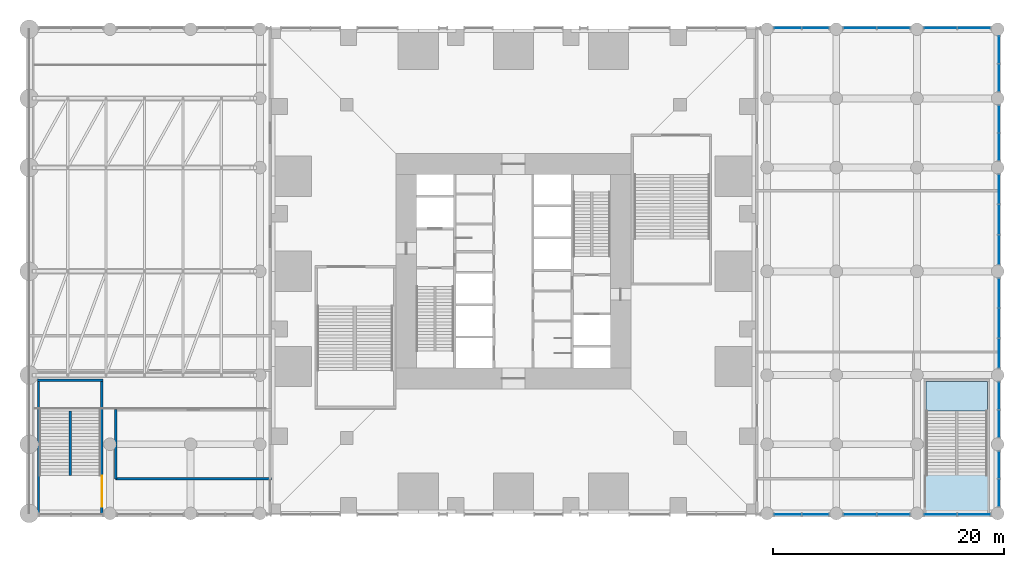
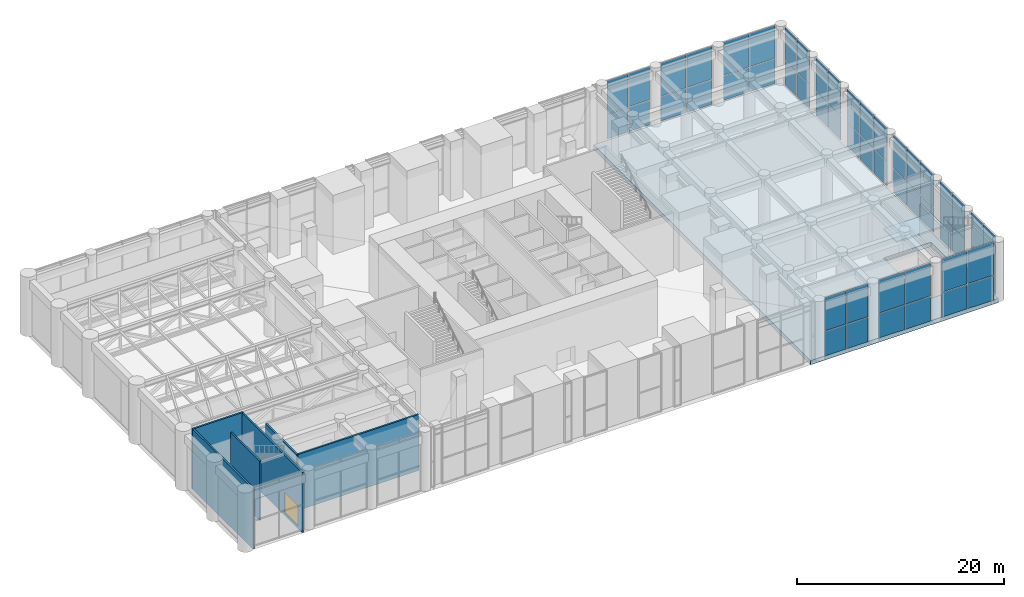
# One storey, part 21 of 30: 52 plates, 6 walls, 2 slabs, 1 door, 1 opening, 13 elements without a shape of their own.
"""IFC4 building model written with IfcOpenShell, lengths in metres."""

from ifc_helpers import new_model, si_unit, direction, frame, frame_2d, origin, origin_2d, place, context, subcontext, project, spatial, polyline, rectangle, outline, extrude, material, layer, layer_set, type_object, element, fill, aggregate, save


model = new_model("IFC4")

# Units and contexts
model_context = context("Model", 3, precision=1e-05, world=origin(), true_north=direction((0.0, 1.0)))
body_context = subcontext(model_context, "Body", "Model", "MODEL_VIEW")
ifc_project = project(units=[si_unit("LENGTHUNIT", "METRE"), si_unit("AREAUNIT", "SQUARE_METRE"), si_unit("VOLUMEUNIT", "CUBIC_METRE"), si_unit("PLANEANGLEUNIT", "RADIAN"), si_unit("MASSUNIT", "GRAM", prefix="KILO")], contexts=[model_context])

# Site, building, storey
site_placement = place(None, origin())
site = spatial("IfcSite", under=ifc_project, at=site_placement, CompositionType="ELEMENT")
building_placement = place(site_placement, origin())
building = spatial("IfcBuilding", under=site, at=building_placement, Name="Svetlomir Tower", CompositionType="ELEMENT")
storey_placement = place(building_placement, frame((0.0, 0.0, 11.0)))
storey = spatial("IfcBuildingStorey", under=building, at=storey_placement, Name="L02", CompositionType="ELEMENT", Elevation=11.0)

# Curtain wall, plates
ifc_material_1 = material(Name="Bronze anodised aluminium curtain wall", Category="aluminium")
curtain_wall_type = type_object("IfcCurtainWallType", Name="CURTAIN WALL CW5 PODIUM", PredefinedType="NOTDEFINED", material=ifc_material_1)
curtain_wall_1_placement = place(storey_placement, origin())
curtain_wall_1 = element("IfcCurtainWall", 1, at=curtain_wall_1_placement, inside=storey, type_object=curtain_wall_type, Name="Curtain wall CW5 L02", PredefinedType="NOTDEFINED")
ifc_material_2 = material(Name="Tinted double glazed unit", Category="glass")
ifc_layer_1 = layer(ifc_material_2, 0.0400390625)
ifc_layer_set_1 = layer_set([ifc_layer_1], Name="Tinted double glazed unit")
plate_type = type_object("IfcPlateType", Name="CW5 GLAZED PANEL 40", PredefinedType="CURTAIN_PANEL", material=ifc_layer_set_1)
plate_1_placement = place(storey_placement, frame((44.794921875, -0.10009765625, 0.080078125), z_axis=(0.0, 0.0, 1.0), x_axis=(1.0, 0.0, 0.0)))
plate_1 = element("IfcPlate", 2, at=plate_1_placement, type_object=plate_type, Name="CW5 panel 1.1", PredefinedType="CURTAIN_PANEL", context=body_context, shape_type="SweptSolid", body=[
    extrude(rectangle(XDim=2.330078125, YDim=0.0400390625, at=origin_2d()), origin(), (0.0, 0.0, 1.0), 2.8798828125),
])
plate_2_placement = place(storey_placement, frame((44.794921875, -0.10009765625, 3.0400390625), z_axis=(0.0, 0.0, 1.0), x_axis=(1.0, 0.0, 0.0)))
plate_2 = element("IfcPlate", 3, at=plate_2_placement, type_object=plate_type, Name="CW5 panel 1.2", PredefinedType="CURTAIN_PANEL", context=body_context, shape_type="SweptSolid", body=[
    extrude(rectangle(XDim=2.330078125, YDim=0.0400390625, at=origin_2d()), origin(), (0.0, 0.0, 1.0), 3.8798828125),
])
plate_3_placement = place(storey_placement, frame((47.205078125, -0.10009765625, 0.080078125), z_axis=(0.0, 0.0, 1.0), x_axis=(1.0, 0.0, 0.0)))
plate_3 = element("IfcPlate", 4, at=plate_3_placement, type_object=plate_type, Name="CW5 panel 2.1", PredefinedType="CURTAIN_PANEL", context=body_context, shape_type="SweptSolid", body=[
    extrude(rectangle(XDim=2.330078125, YDim=0.0400390625, at=origin_2d()), origin(), (0.0, 0.0, 1.0), 2.8798828125),
])
plate_4_placement = place(storey_placement, frame((47.205078125, -0.10009765625, 3.0400390625), z_axis=(0.0, 0.0, 1.0), x_axis=(1.0, 0.0, 0.0)))
plate_4 = element("IfcPlate", 5, at=plate_4_placement, type_object=plate_type, Name="CW5 panel 2.2", PredefinedType="CURTAIN_PANEL", context=body_context, shape_type="SweptSolid", body=[
    extrude(rectangle(XDim=2.330078125, YDim=0.0400390625, at=origin_2d()), origin(), (0.0, 0.0, 1.0), 3.8798828125),
])
aggregate(curtain_wall_1, [plate_1, plate_2, plate_3, plate_4])

curtain_wall_2_placement = place(storey_placement, origin())
curtain_wall_2 = element("IfcCurtainWall", 6, at=curtain_wall_2_placement, inside=storey, type_object=curtain_wall_type, Name="Curtain wall CW5 L02", PredefinedType="NOTDEFINED")
plate_5_placement = place(storey_placement, frame((51.044921875, -0.10009765625, 0.080078125), z_axis=(0.0, 0.0, 1.0), x_axis=(1.0, 0.0, 0.0)))
plate_5 = element("IfcPlate", 7, at=plate_5_placement, type_object=plate_type, Name="CW5 panel 1.1", PredefinedType="CURTAIN_PANEL", context=body_context, shape_type="SweptSolid", body=[
    extrude(rectangle(XDim=2.830078125, YDim=0.0400390625, at=origin_2d()), origin(), (0.0, 0.0, 1.0), 2.8798828125),
])
plate_6_placement = place(storey_placement, frame((51.044921875, -0.10009765625, 3.0400390625), z_axis=(0.0, 0.0, 1.0), x_axis=(1.0, 0.0, 0.0)))
plate_6 = element("IfcPlate", 8, at=plate_6_placement, type_object=plate_type, Name="CW5 panel 1.2", PredefinedType="CURTAIN_PANEL", context=body_context, shape_type="SweptSolid", body=[
    extrude(rectangle(XDim=2.830078125, YDim=0.0400390625, at=origin_2d()), origin(), (0.0, 0.0, 1.0), 3.8798828125),
])
plate_7_placement = place(storey_placement, frame((53.955078125, -0.10009765625, 0.080078125), z_axis=(0.0, 0.0, 1.0), x_axis=(1.0, 0.0, 0.0)))
plate_7 = element("IfcPlate", 9, at=plate_7_placement, type_object=plate_type, Name="CW5 panel 2.1", PredefinedType="CURTAIN_PANEL", context=body_context, shape_type="SweptSolid", body=[
    extrude(rectangle(XDim=2.830078125, YDim=0.0400390625, at=origin_2d()), origin(), (0.0, 0.0, 1.0), 2.8798828125),
])
plate_8_placement = place(storey_placement, frame((53.955078125, -0.10009765625, 3.0400390625), z_axis=(0.0, 0.0, 1.0), x_axis=(1.0, 0.0, 0.0)))
plate_8 = element("IfcPlate", 10, at=plate_8_placement, type_object=plate_type, Name="CW5 panel 2.2", PredefinedType="CURTAIN_PANEL", context=body_context, shape_type="SweptSolid", body=[
    extrude(rectangle(XDim=2.830078125, YDim=0.0400390625, at=origin_2d()), origin(), (0.0, 0.0, 1.0), 3.8798828125),
])
aggregate(curtain_wall_2, [plate_5, plate_6, plate_7, plate_8])

curtain_wall_3_placement = place(storey_placement, origin())
curtain_wall_3 = element("IfcCurtainWall", 11, at=curtain_wall_3_placement, inside=storey, type_object=curtain_wall_type, Name="Curtain wall CW5 L02", PredefinedType="NOTDEFINED")
plate_9_placement = place(storey_placement, frame((58.044921875, -0.10009765625, 0.080078125), z_axis=(0.0, 0.0, 1.0), x_axis=(1.0, 0.0, 0.0)))
plate_9 = element("IfcPlate", 12, at=plate_9_placement, type_object=plate_type, Name="CW5 panel 1.1", PredefinedType="CURTAIN_PANEL", context=body_context, shape_type="SweptSolid", body=[
    extrude(rectangle(XDim=2.830078125, YDim=0.0400390625, at=origin_2d()), origin(), (0.0, 0.0, 1.0), 2.8798828125),
])
plate_10_placement = place(storey_placement, frame((58.044921875, -0.10009765625, 3.0400390625), z_axis=(0.0, 0.0, 1.0), x_axis=(1.0, 0.0, 0.0)))
plate_10 = element("IfcPlate", 13, at=plate_10_placement, type_object=plate_type, Name="CW5 panel 1.2", PredefinedType="CURTAIN_PANEL", context=body_context, shape_type="SweptSolid", body=[
    extrude(rectangle(XDim=2.830078125, YDim=0.0400390625, at=origin_2d()), origin(), (0.0, 0.0, 1.0), 3.8798828125),
])
plate_11_placement = place(storey_placement, frame((60.955078125, -0.10009765625, 0.080078125), z_axis=(0.0, 0.0, 1.0), x_axis=(1.0, 0.0, 0.0)))
plate_11 = element("IfcPlate", 14, at=plate_11_placement, type_object=plate_type, Name="CW5 panel 2.1", PredefinedType="CURTAIN_PANEL", context=body_context, shape_type="SweptSolid", body=[
    extrude(rectangle(XDim=2.830078125, YDim=0.0400390625, at=origin_2d()), origin(), (0.0, 0.0, 1.0), 2.8798828125),
])
plate_12_placement = place(storey_placement, frame((60.955078125, -0.10009765625, 3.0400390625), z_axis=(0.0, 0.0, 1.0), x_axis=(1.0, 0.0, 0.0)))
plate_12 = element("IfcPlate", 15, at=plate_12_placement, type_object=plate_type, Name="CW5 panel 2.2", PredefinedType="CURTAIN_PANEL", context=body_context, shape_type="SweptSolid", body=[
    extrude(rectangle(XDim=2.830078125, YDim=0.0400390625, at=origin_2d()), origin(), (0.0, 0.0, 1.0), 3.8798828125),
])
aggregate(curtain_wall_3, [plate_9, plate_10, plate_11, plate_12])

curtain_wall_4_placement = place(storey_placement, origin())
curtain_wall_4 = element("IfcCurtainWall", 16, at=curtain_wall_4_placement, inside=storey, type_object=curtain_wall_type, Name="Curtain wall CW5 L02", PredefinedType="NOTDEFINED")
plate_13_placement = place(storey_placement, frame((63.10009765625, 1.794921875, 0.080078125), z_axis=(0.0, 0.0, 1.0), x_axis=(0.0, 1.0, 0.0)))
plate_13 = element("IfcPlate", 17, at=plate_13_placement, type_object=plate_type, Name="CW5 panel 1.1", PredefinedType="CURTAIN_PANEL", context=body_context, shape_type="SweptSolid", body=[
    extrude(rectangle(XDim=2.330078125, YDim=0.0400390625, at=origin_2d()), origin(), (0.0, 0.0, 1.0), 2.8798828125),
])
plate_14_placement = place(storey_placement, frame((63.10009765625, 1.794921875, 3.0400390625), z_axis=(0.0, 0.0, 1.0), x_axis=(0.0, 1.0, 0.0)))
plate_14 = element("IfcPlate", 18, at=plate_14_placement, type_object=plate_type, Name="CW5 panel 1.2", PredefinedType="CURTAIN_PANEL", context=body_context, shape_type="SweptSolid", body=[
    extrude(rectangle(XDim=2.330078125, YDim=0.0400390625, at=origin_2d()), origin(), (0.0, 0.0, 1.0), 3.8798828125),
])
plate_15_placement = place(storey_placement, frame((63.10009765625, 4.205078125, 0.080078125), z_axis=(0.0, 0.0, 1.0), x_axis=(0.0, 1.0, 0.0)))
plate_15 = element("IfcPlate", 19, at=plate_15_placement, type_object=plate_type, Name="CW5 panel 2.1", PredefinedType="CURTAIN_PANEL", context=body_context, shape_type="SweptSolid", body=[
    extrude(rectangle(XDim=2.330078125, YDim=0.0400390625, at=origin_2d()), origin(), (0.0, 0.0, 1.0), 2.8798828125),
])
plate_16_placement = place(storey_placement, frame((63.10009765625, 4.205078125, 3.0400390625), z_axis=(0.0, 0.0, 1.0), x_axis=(0.0, 1.0, 0.0)))
plate_16 = element("IfcPlate", 20, at=plate_16_placement, type_object=plate_type, Name="CW5 panel 2.2", PredefinedType="CURTAIN_PANEL", context=body_context, shape_type="SweptSolid", body=[
    extrude(rectangle(XDim=2.330078125, YDim=0.0400390625, at=origin_2d()), origin(), (0.0, 0.0, 1.0), 3.8798828125),
])
aggregate(curtain_wall_4, [plate_13, plate_14, plate_15, plate_16])

curtain_wall_5_placement = place(storey_placement, origin())
curtain_wall_5 = element("IfcCurtainWall", 21, at=curtain_wall_5_placement, inside=storey, type_object=curtain_wall_type, Name="Curtain wall CW5 L02", PredefinedType="NOTDEFINED")
plate_17_placement = place(storey_placement, frame((63.10009765625, 7.794921875, 0.080078125), z_axis=(0.0, 0.0, 1.0), x_axis=(0.0, 1.0, 0.0)))
plate_17 = element("IfcPlate", 22, at=plate_17_placement, type_object=plate_type, Name="CW5 panel 1.1", PredefinedType="CURTAIN_PANEL", context=body_context, shape_type="SweptSolid", body=[
    extrude(rectangle(XDim=2.330078125, YDim=0.0400390625, at=origin_2d()), origin(), (0.0, 0.0, 1.0), 2.8798828125),
])
plate_18_placement = place(storey_placement, frame((63.10009765625, 7.794921875, 3.0400390625), z_axis=(0.0, 0.0, 1.0), x_axis=(0.0, 1.0, 0.0)))
plate_18 = element("IfcPlate", 23, at=plate_18_placement, type_object=plate_type, Name="CW5 panel 1.2", PredefinedType="CURTAIN_PANEL", context=body_context, shape_type="SweptSolid", body=[
    extrude(rectangle(XDim=2.330078125, YDim=0.0400390625, at=origin_2d()), origin(), (0.0, 0.0, 1.0), 3.8798828125),
])
plate_19_placement = place(storey_placement, frame((63.10009765625, 10.205078125, 0.080078125), z_axis=(0.0, 0.0, 1.0), x_axis=(0.0, 1.0, 0.0)))
plate_19 = element("IfcPlate", 24, at=plate_19_placement, type_object=plate_type, Name="CW5 panel 2.1", PredefinedType="CURTAIN_PANEL", context=body_context, shape_type="SweptSolid", body=[
    extrude(rectangle(XDim=2.330078125, YDim=0.0400390625, at=origin_2d()), origin(), (0.0, 0.0, 1.0), 2.8798828125),
])
plate_20_placement = place(storey_placement, frame((63.10009765625, 10.205078125, 3.0400390625), z_axis=(0.0, 0.0, 1.0), x_axis=(0.0, 1.0, 0.0)))
plate_20 = element("IfcPlate", 25, at=plate_20_placement, type_object=plate_type, Name="CW5 panel 2.2", PredefinedType="CURTAIN_PANEL", context=body_context, shape_type="SweptSolid", body=[
    extrude(rectangle(XDim=2.330078125, YDim=0.0400390625, at=origin_2d()), origin(), (0.0, 0.0, 1.0), 3.8798828125),
])
aggregate(curtain_wall_5, [plate_17, plate_18, plate_19, plate_20])

curtain_wall_6_placement = place(storey_placement, origin())
curtain_wall_6 = element("IfcCurtainWall", 26, at=curtain_wall_6_placement, inside=storey, type_object=curtain_wall_type, Name="Curtain wall CW5 L02", PredefinedType="NOTDEFINED")
plate_21_placement = place(storey_placement, frame((63.10009765625, 13.88671875, 0.080078125), z_axis=(0.0, 0.0, 1.0), x_axis=(0.0, 1.0, 0.0)))
plate_21 = element("IfcPlate", 27, at=plate_21_placement, type_object=plate_type, Name="CW5 panel 1.1", PredefinedType="CURTAIN_PANEL", context=body_context, shape_type="SweptSolid", body=[
    extrude(rectangle(XDim=2.513427734375, YDim=0.0400390625, at=origin_2d()), origin(), (0.0, 0.0, 1.0), 2.8798828125),
])
plate_22_placement = place(storey_placement, frame((63.10009765625, 13.88671875, 3.0400390625), z_axis=(0.0, 0.0, 1.0), x_axis=(0.0, 1.0, 0.0)))
plate_22 = element("IfcPlate", 28, at=plate_22_placement, type_object=plate_type, Name="CW5 panel 1.2", PredefinedType="CURTAIN_PANEL", context=body_context, shape_type="SweptSolid", body=[
    extrude(rectangle(XDim=2.513427734375, YDim=0.0400390625, at=origin_2d()), origin(), (0.0, 0.0, 1.0), 3.8798828125),
])
plate_23_placement = place(storey_placement, frame((63.10009765625, 16.5, 0.080078125), z_axis=(0.0, 0.0, 1.0), x_axis=(0.0, 1.0, 0.0)))
plate_23 = element("IfcPlate", 29, at=plate_23_placement, type_object=plate_type, Name="CW5 panel 2.1", PredefinedType="CURTAIN_PANEL", context=body_context, shape_type="SweptSolid", body=[
    extrude(rectangle(XDim=2.55322265625, YDim=0.0400390625, at=origin_2d()), origin(), (0.0, 0.0, 1.0), 2.8798828125),
])
plate_24_placement = place(storey_placement, frame((63.10009765625, 16.5, 3.0400390625), z_axis=(0.0, 0.0, 1.0), x_axis=(0.0, 1.0, 0.0)))
plate_24 = element("IfcPlate", 30, at=plate_24_placement, type_object=plate_type, Name="CW5 panel 2.2", PredefinedType="CURTAIN_PANEL", context=body_context, shape_type="SweptSolid", body=[
    extrude(rectangle(XDim=2.55322265625, YDim=0.0400390625, at=origin_2d()), origin(), (0.0, 0.0, 1.0), 3.8798828125),
])
plate_25_placement = place(storey_placement, frame((63.10009765625, 19.11328125, 0.080078125), z_axis=(0.0, 0.0, 1.0), x_axis=(0.0, 1.0, 0.0)))
plate_25 = element("IfcPlate", 31, at=plate_25_placement, type_object=plate_type, Name="CW5 panel 3.1", PredefinedType="CURTAIN_PANEL", context=body_context, shape_type="SweptSolid", body=[
    extrude(rectangle(XDim=2.513427734375, YDim=0.0400390625, at=origin_2d()), origin(), (0.0, 0.0, 1.0), 2.8798828125),
])
plate_26_placement = place(storey_placement, frame((63.10009765625, 19.11328125, 3.0400390625), z_axis=(0.0, 0.0, 1.0), x_axis=(0.0, 1.0, 0.0)))
plate_26 = element("IfcPlate", 32, at=plate_26_placement, type_object=plate_type, Name="CW5 panel 3.2", PredefinedType="CURTAIN_PANEL", context=body_context, shape_type="SweptSolid", body=[
    extrude(rectangle(XDim=2.513427734375, YDim=0.0400390625, at=origin_2d()), origin(), (0.0, 0.0, 1.0), 3.8798828125),
])
aggregate(curtain_wall_6, [plate_21, plate_22, plate_23, plate_24, plate_25, plate_26])

curtain_wall_7_placement = place(storey_placement, origin())
curtain_wall_7 = element("IfcCurtainWall", 33, at=curtain_wall_7_placement, inside=storey, type_object=curtain_wall_type, Name="Curtain wall CW5 L02", PredefinedType="NOTDEFINED")
plate_27_placement = place(storey_placement, frame((63.10009765625, 22.88671875, 0.080078125), z_axis=(0.0, 0.0, 1.0), x_axis=(0.0, 1.0, 0.0)))
plate_27 = element("IfcPlate", 34, at=plate_27_placement, type_object=plate_type, Name="CW5 panel 1.1", PredefinedType="CURTAIN_PANEL", context=body_context, shape_type="SweptSolid", body=[
    extrude(rectangle(XDim=2.513427734375, YDim=0.0400390625, at=origin_2d()), origin(), (0.0, 0.0, 1.0), 2.8798828125),
])
plate_28_placement = place(storey_placement, frame((63.10009765625, 22.88671875, 3.0400390625), z_axis=(0.0, 0.0, 1.0), x_axis=(0.0, 1.0, 0.0)))
plate_28 = element("IfcPlate", 35, at=plate_28_placement, type_object=plate_type, Name="CW5 panel 1.2", PredefinedType="CURTAIN_PANEL", context=body_context, shape_type="SweptSolid", body=[
    extrude(rectangle(XDim=2.513427734375, YDim=0.0400390625, at=origin_2d()), origin(), (0.0, 0.0, 1.0), 3.8798828125),
])
plate_29_placement = place(storey_placement, frame((63.10009765625, 25.5, 0.080078125), z_axis=(0.0, 0.0, 1.0), x_axis=(0.0, 1.0, 0.0)))
plate_29 = element("IfcPlate", 36, at=plate_29_placement, type_object=plate_type, Name="CW5 panel 2.1", PredefinedType="CURTAIN_PANEL", context=body_context, shape_type="SweptSolid", body=[
    extrude(rectangle(XDim=2.55322265625, YDim=0.0400390625, at=origin_2d()), origin(), (0.0, 0.0, 1.0), 2.8798828125),
])
plate_30_placement = place(storey_placement, frame((63.10009765625, 25.5, 3.0400390625), z_axis=(0.0, 0.0, 1.0), x_axis=(0.0, 1.0, 0.0)))
plate_30 = element("IfcPlate", 37, at=plate_30_placement, type_object=plate_type, Name="CW5 panel 2.2", PredefinedType="CURTAIN_PANEL", context=body_context, shape_type="SweptSolid", body=[
    extrude(rectangle(XDim=2.55322265625, YDim=0.0400390625, at=origin_2d()), origin(), (0.0, 0.0, 1.0), 3.8798828125),
])
plate_31_placement = place(storey_placement, frame((63.10009765625, 28.11328125, 0.080078125), z_axis=(0.0, 0.0, 1.0), x_axis=(0.0, 1.0, 0.0)))
plate_31 = element("IfcPlate", 38, at=plate_31_placement, type_object=plate_type, Name="CW5 panel 3.1", PredefinedType="CURTAIN_PANEL", context=body_context, shape_type="SweptSolid", body=[
    extrude(rectangle(XDim=2.513427734375, YDim=0.0400390625, at=origin_2d()), origin(), (0.0, 0.0, 1.0), 2.8798828125),
])
plate_32_placement = place(storey_placement, frame((63.10009765625, 28.11328125, 3.0400390625), z_axis=(0.0, 0.0, 1.0), x_axis=(0.0, 1.0, 0.0)))
plate_32 = element("IfcPlate", 39, at=plate_32_placement, type_object=plate_type, Name="CW5 panel 3.2", PredefinedType="CURTAIN_PANEL", context=body_context, shape_type="SweptSolid", body=[
    extrude(rectangle(XDim=2.513427734375, YDim=0.0400390625, at=origin_2d()), origin(), (0.0, 0.0, 1.0), 3.8798828125),
])
aggregate(curtain_wall_7, [plate_27, plate_28, plate_29, plate_30, plate_31, plate_32])

curtain_wall_8_placement = place(storey_placement, origin())
curtain_wall_8 = element("IfcCurtainWall", 40, at=curtain_wall_8_placement, inside=storey, type_object=curtain_wall_type, Name="Curtain wall CW5 L02", PredefinedType="NOTDEFINED")
plate_33_placement = place(storey_placement, frame((63.10009765625, 31.794921875, 0.080078125), z_axis=(0.0, 0.0, 1.0), x_axis=(0.0, 1.0, 0.0)))
plate_33 = element("IfcPlate", 41, at=plate_33_placement, type_object=plate_type, Name="CW5 panel 1.1", PredefinedType="CURTAIN_PANEL", context=body_context, shape_type="SweptSolid", body=[
    extrude(rectangle(XDim=2.330078125, YDim=0.0400390625, at=origin_2d()), origin(), (0.0, 0.0, 1.0), 2.8798828125),
])
plate_34_placement = place(storey_placement, frame((63.10009765625, 31.794921875, 3.0400390625), z_axis=(0.0, 0.0, 1.0), x_axis=(0.0, 1.0, 0.0)))
plate_34 = element("IfcPlate", 42, at=plate_34_placement, type_object=plate_type, Name="CW5 panel 1.2", PredefinedType="CURTAIN_PANEL", context=body_context, shape_type="SweptSolid", body=[
    extrude(rectangle(XDim=2.330078125, YDim=0.0400390625, at=origin_2d()), origin(), (0.0, 0.0, 1.0), 3.8798828125),
])
plate_35_placement = place(storey_placement, frame((63.10009765625, 34.205078125, 0.080078125), z_axis=(0.0, 0.0, 1.0), x_axis=(0.0, 1.0, 0.0)))
plate_35 = element("IfcPlate", 43, at=plate_35_placement, type_object=plate_type, Name="CW5 panel 2.1", PredefinedType="CURTAIN_PANEL", context=body_context, shape_type="SweptSolid", body=[
    extrude(rectangle(XDim=2.330078125, YDim=0.0400390625, at=origin_2d()), origin(), (0.0, 0.0, 1.0), 2.8798828125),
])
plate_36_placement = place(storey_placement, frame((63.10009765625, 34.205078125, 3.0400390625), z_axis=(0.0, 0.0, 1.0), x_axis=(0.0, 1.0, 0.0)))
plate_36 = element("IfcPlate", 44, at=plate_36_placement, type_object=plate_type, Name="CW5 panel 2.2", PredefinedType="CURTAIN_PANEL", context=body_context, shape_type="SweptSolid", body=[
    extrude(rectangle(XDim=2.330078125, YDim=0.0400390625, at=origin_2d()), origin(), (0.0, 0.0, 1.0), 3.8798828125),
])
aggregate(curtain_wall_8, [plate_33, plate_34, plate_35, plate_36])

curtain_wall_9_placement = place(storey_placement, origin())
curtain_wall_9 = element("IfcCurtainWall", 45, at=curtain_wall_9_placement, inside=storey, type_object=curtain_wall_type, Name="Curtain wall CW5 L02", PredefinedType="NOTDEFINED")
plate_37_placement = place(storey_placement, frame((63.10009765625, 37.794921875, 0.080078125), z_axis=(0.0, 0.0, 1.0), x_axis=(0.0, 1.0, 0.0)))
plate_37 = element("IfcPlate", 46, at=plate_37_placement, type_object=plate_type, Name="CW5 panel 1.1", PredefinedType="CURTAIN_PANEL", context=body_context, shape_type="SweptSolid", body=[
    extrude(rectangle(XDim=2.330078125, YDim=0.0400390625, at=origin_2d()), origin(), (0.0, 0.0, 1.0), 2.8798828125),
])
plate_38_placement = place(storey_placement, frame((63.10009765625, 37.794921875, 3.0400390625), z_axis=(0.0, 0.0, 1.0), x_axis=(0.0, 1.0, 0.0)))
plate_38 = element("IfcPlate", 47, at=plate_38_placement, type_object=plate_type, Name="CW5 panel 1.2", PredefinedType="CURTAIN_PANEL", context=body_context, shape_type="SweptSolid", body=[
    extrude(rectangle(XDim=2.330078125, YDim=0.0400390625, at=origin_2d()), origin(), (0.0, 0.0, 1.0), 3.8798828125),
])
plate_39_placement = place(storey_placement, frame((63.10009765625, 40.205078125, 0.080078125), z_axis=(0.0, 0.0, 1.0), x_axis=(0.0, 1.0, 0.0)))
plate_39 = element("IfcPlate", 48, at=plate_39_placement, type_object=plate_type, Name="CW5 panel 2.1", PredefinedType="CURTAIN_PANEL", context=body_context, shape_type="SweptSolid", body=[
    extrude(rectangle(XDim=2.330078125, YDim=0.0400390625, at=origin_2d()), origin(), (0.0, 0.0, 1.0), 2.8798828125),
])
plate_40_placement = place(storey_placement, frame((63.10009765625, 40.205078125, 3.0400390625), z_axis=(0.0, 0.0, 1.0), x_axis=(0.0, 1.0, 0.0)))
plate_40 = element("IfcPlate", 49, at=plate_40_placement, type_object=plate_type, Name="CW5 panel 2.2", PredefinedType="CURTAIN_PANEL", context=body_context, shape_type="SweptSolid", body=[
    extrude(rectangle(XDim=2.330078125, YDim=0.0400390625, at=origin_2d()), origin(), (0.0, 0.0, 1.0), 3.8798828125),
])
aggregate(curtain_wall_9, [plate_37, plate_38, plate_39, plate_40])

curtain_wall_10_placement = place(storey_placement, origin())
curtain_wall_10 = element("IfcCurtainWall", 50, at=curtain_wall_10_placement, inside=storey, type_object=curtain_wall_type, Name="Curtain wall CW5 L02", PredefinedType="NOTDEFINED")
plate_41_placement = place(storey_placement, frame((60.955078125, 42.10009765625, 0.080078125), z_axis=(0.0, 0.0, 1.0), x_axis=(-1.0, 0.0, 0.0)))
plate_41 = element("IfcPlate", 51, at=plate_41_placement, type_object=plate_type, Name="CW5 panel 1.1", PredefinedType="CURTAIN_PANEL", context=body_context, shape_type="SweptSolid", body=[
    extrude(rectangle(XDim=2.830078125, YDim=0.0400390625, at=origin_2d()), origin(), (0.0, 0.0, 1.0), 2.8798828125),
])
plate_42_placement = place(storey_placement, frame((60.955078125, 42.10009765625, 3.0400390625), z_axis=(0.0, 0.0, 1.0), x_axis=(-1.0, 0.0, 0.0)))
plate_42 = element("IfcPlate", 52, at=plate_42_placement, type_object=plate_type, Name="CW5 panel 1.2", PredefinedType="CURTAIN_PANEL", context=body_context, shape_type="SweptSolid", body=[
    extrude(rectangle(XDim=2.830078125, YDim=0.0400390625, at=origin_2d()), origin(), (0.0, 0.0, 1.0), 3.8798828125),
])
plate_43_placement = place(storey_placement, frame((58.044921875, 42.10009765625, 0.080078125), z_axis=(0.0, 0.0, 1.0), x_axis=(-1.0, 0.0, 0.0)))
plate_43 = element("IfcPlate", 53, at=plate_43_placement, type_object=plate_type, Name="CW5 panel 2.1", PredefinedType="CURTAIN_PANEL", context=body_context, shape_type="SweptSolid", body=[
    extrude(rectangle(XDim=2.830078125, YDim=0.0400390625, at=origin_2d()), origin(), (0.0, 0.0, 1.0), 2.8798828125),
])
plate_44_placement = place(storey_placement, frame((58.044921875, 42.10009765625, 3.0400390625), z_axis=(0.0, 0.0, 1.0), x_axis=(-1.0, 0.0, 0.0)))
plate_44 = element("IfcPlate", 54, at=plate_44_placement, type_object=plate_type, Name="CW5 panel 2.2", PredefinedType="CURTAIN_PANEL", context=body_context, shape_type="SweptSolid", body=[
    extrude(rectangle(XDim=2.830078125, YDim=0.0400390625, at=origin_2d()), origin(), (0.0, 0.0, 1.0), 3.8798828125),
])
aggregate(curtain_wall_10, [plate_41, plate_42, plate_43, plate_44])

curtain_wall_11_placement = place(storey_placement, origin())
curtain_wall_11 = element("IfcCurtainWall", 55, at=curtain_wall_11_placement, inside=storey, type_object=curtain_wall_type, Name="Curtain wall CW5 L02", PredefinedType="NOTDEFINED")
plate_45_placement = place(storey_placement, frame((53.955078125, 42.10009765625, 0.080078125), z_axis=(0.0, 0.0, 1.0), x_axis=(-1.0, 0.0, 0.0)))
plate_45 = element("IfcPlate", 56, at=plate_45_placement, type_object=plate_type, Name="CW5 panel 1.1", PredefinedType="CURTAIN_PANEL", context=body_context, shape_type="SweptSolid", body=[
    extrude(rectangle(XDim=2.830078125, YDim=0.0400390625, at=origin_2d()), origin(), (0.0, 0.0, 1.0), 2.8798828125),
])
plate_46_placement = place(storey_placement, frame((53.955078125, 42.10009765625, 3.0400390625), z_axis=(0.0, 0.0, 1.0), x_axis=(-1.0, 0.0, 0.0)))
plate_46 = element("IfcPlate", 57, at=plate_46_placement, type_object=plate_type, Name="CW5 panel 1.2", PredefinedType="CURTAIN_PANEL", context=body_context, shape_type="SweptSolid", body=[
    extrude(rectangle(XDim=2.830078125, YDim=0.0400390625, at=origin_2d()), origin(), (0.0, 0.0, 1.0), 3.8798828125),
])
plate_47_placement = place(storey_placement, frame((51.044921875, 42.10009765625, 0.080078125), z_axis=(0.0, 0.0, 1.0), x_axis=(-1.0, 0.0, 0.0)))
plate_47 = element("IfcPlate", 58, at=plate_47_placement, type_object=plate_type, Name="CW5 panel 2.1", PredefinedType="CURTAIN_PANEL", context=body_context, shape_type="SweptSolid", body=[
    extrude(rectangle(XDim=2.830078125, YDim=0.0400390625, at=origin_2d()), origin(), (0.0, 0.0, 1.0), 2.8798828125),
])
plate_48_placement = place(storey_placement, frame((51.044921875, 42.10009765625, 3.0400390625), z_axis=(0.0, 0.0, 1.0), x_axis=(-1.0, 0.0, 0.0)))
plate_48 = element("IfcPlate", 59, at=plate_48_placement, type_object=plate_type, Name="CW5 panel 2.2", PredefinedType="CURTAIN_PANEL", context=body_context, shape_type="SweptSolid", body=[
    extrude(rectangle(XDim=2.830078125, YDim=0.0400390625, at=origin_2d()), origin(), (0.0, 0.0, 1.0), 3.8798828125),
])
aggregate(curtain_wall_11, [plate_45, plate_46, plate_47, plate_48])

curtain_wall_12_placement = place(storey_placement, origin())
curtain_wall_12 = element("IfcCurtainWall", 60, at=curtain_wall_12_placement, inside=storey, type_object=curtain_wall_type, Name="Curtain wall CW5 L02", PredefinedType="NOTDEFINED")
plate_49_placement = place(storey_placement, frame((47.205078125, 42.10009765625, 0.080078125), z_axis=(0.0, 0.0, 1.0), x_axis=(-1.0, 0.0, 0.0)))
plate_49 = element("IfcPlate", 61, at=plate_49_placement, type_object=plate_type, Name="CW5 panel 1.1", PredefinedType="CURTAIN_PANEL", context=body_context, shape_type="SweptSolid", body=[
    extrude(rectangle(XDim=2.330078125, YDim=0.0400390625, at=origin_2d()), origin(), (0.0, 0.0, 1.0), 2.8798828125),
])
plate_50_placement = place(storey_placement, frame((47.205078125, 42.10009765625, 3.0400390625), z_axis=(0.0, 0.0, 1.0), x_axis=(-1.0, 0.0, 0.0)))
plate_50 = element("IfcPlate", 62, at=plate_50_placement, type_object=plate_type, Name="CW5 panel 1.2", PredefinedType="CURTAIN_PANEL", context=body_context, shape_type="SweptSolid", body=[
    extrude(rectangle(XDim=2.330078125, YDim=0.0400390625, at=origin_2d()), origin(), (0.0, 0.0, 1.0), 3.8798828125),
])
plate_51_placement = place(storey_placement, frame((44.794921875, 42.10009765625, 0.080078125), z_axis=(0.0, 0.0, 1.0), x_axis=(-1.0, 0.0, 0.0)))
plate_51 = element("IfcPlate", 63, at=plate_51_placement, type_object=plate_type, Name="CW5 panel 2.1", PredefinedType="CURTAIN_PANEL", context=body_context, shape_type="SweptSolid", body=[
    extrude(rectangle(XDim=2.330078125, YDim=0.0400390625, at=origin_2d()), origin(), (0.0, 0.0, 1.0), 2.8798828125),
])
plate_52_placement = place(storey_placement, frame((44.794921875, 42.10009765625, 3.0400390625), z_axis=(0.0, 0.0, 1.0), x_axis=(-1.0, 0.0, 0.0)))
plate_52 = element("IfcPlate", 64, at=plate_52_placement, type_object=plate_type, Name="CW5 panel 2.2", PredefinedType="CURTAIN_PANEL", context=body_context, shape_type="SweptSolid", body=[
    extrude(rectangle(XDim=2.330078125, YDim=0.0400390625, at=origin_2d()), origin(), (0.0, 0.0, 1.0), 3.8798828125),
])
aggregate(curtain_wall_12, [plate_49, plate_50, plate_51, plate_52])

# Slab
ifc_material_3 = material(Name="Concrete C60/75", Category="concrete")
ifc_layer_2 = layer(ifc_material_3, 0.5)
ifc_layer_set_2 = layer_set([ifc_layer_2], Name="Concrete C60/75")
slab_type_1 = type_object("IfcSlabType", Name="FLOOR SLAB 500", PredefinedType="FLOOR", material=ifc_layer_set_2)
slab_1_placement = place(storey_placement, frame((0.0, 0.0, -0.5)))
element("IfcSlab", 65, at=slab_1_placement, inside=storey, type_object=slab_type_1, Name="L02 floor slab east wing", PredefinedType="FLOOR", context=body_context, shape_type="SweptSolid", body=[
    extrude(outline(polyline([(42.050048828125, 0.0), (63.0, 0.0), (63.0, 42.0), (42.050048828125, 42.0), (42.050048828125, 0.0)]), holes=[polyline([(56.800048828125, 3.320068359375), (62.10009765625, 3.320068359375), (62.10009765625, 11.449951171875), (56.800048828125, 11.449951171875), (56.800048828125, 3.320068359375)])]), origin(), (0.0, 0.0, 1.0), 0.5),
])

# Stair, slab
ifc_material_4 = material(Name="Concrete C60/75", Category="concrete")
stair_type = type_object("IfcStairType", Name="EXIT STAIR 5300 RISE 7000", PredefinedType="HALF_TURN_STAIR", material=ifc_material_4)
stair_placement = place(storey_placement, origin())
stair = element("IfcStair", 66, at=stair_placement, inside=storey, type_object=stair_type, Name="Stair P4 L02 to L03", PredefinedType="HALF_TURN_STAIR")
ifc_material_5 = material(Name="Concrete C60/75", Category="concrete")
ifc_layer_3 = layer(ifc_material_5, 0.199951171875)
ifc_layer_set_3 = layer_set([ifc_layer_3], Name="Concrete C60/75")
slab_type_2 = type_object("IfcSlabType", Name="STAIR LANDING 200", PredefinedType="LANDING", material=ifc_layer_set_3)
slab_2_placement = place(storey_placement, frame((0.0, 0.0, 3.300048828125)))
slab_2 = element("IfcSlab", 67, at=slab_2_placement, type_object=slab_type_2, Name="P4 landing 1", PredefinedType="LANDING", context=body_context, shape_type="SweptSolid", body=[
    extrude(outline(polyline([(56.800048828125, 8.89990234375), (62.10009765625, 8.89990234375), (62.10009765625, 11.449951171875), (56.800048828125, 11.449951171875), (56.800048828125, 8.89990234375)])), origin(), (0.0, 0.0, 1.0), 0.199951171875),
])
aggregate(stair, [slab_2])

# Walls
ifc_material_6 = material(Name="Gypsum board on twin steel studs", Category="steel")
ifc_layer_4 = layer(ifc_material_6, 0.199951171875)
ifc_layer_set_4 = layer_set([ifc_layer_4], Name="Gypsum board on twin steel studs")
wall_type_1 = type_object("IfcWallType", Name="ACOUSTIC PARTITION 200", PredefinedType="PARTITIONING", material=ifc_layer_set_4)
wall_1_placement = place(storey_placement, frame((-13.5, 3.0, 0.0), z_axis=(0.0, 0.0, 1.0), x_axis=(0.0, 1.0, 0.0)))
element("IfcWall", 68, at=wall_1_placement, inside=storey, type_object=wall_type_1, Name="Partition L02", PredefinedType="PARTITIONING", context=body_context, shape_type="SweptSolid", body=[
    extrude(rectangle(XDim=6.0, YDim=0.199951171875, at=frame_2d((3.0, 0.0))), origin(), (0.0, 0.0, 1.0), 6.60009765625),
])
wall_2_placement = place(storey_placement, frame((-13.5, 3.0, 0.0), z_axis=(0.0, 0.0, 1.0), x_axis=(1.0, 0.0, 0.0)))
element("IfcWall", 69, at=wall_2_placement, inside=storey, type_object=wall_type_1, Name="Partition L02", PredefinedType="PARTITIONING", context=body_context, shape_type="SweptSolid", body=[
    extrude(rectangle(XDim=13.5, YDim=0.199951171875, at=frame_2d((6.75, 0.0))), origin(), (0.0, 0.0, 1.0), 6.60009765625),
])

# Wall, opening, door
ifc_material_7 = material(Name="Concrete C60/75", Category="concrete")
ifc_layer_5 = layer(ifc_material_7, 0.199951171875)
ifc_layer_set_5 = layer_set([ifc_layer_5], Name="Concrete C60/75")
wall_type_2 = type_object("IfcWallType", Name="STAIR CORE WALL RC 200", PredefinedType="SOLIDWALL", material=ifc_layer_set_5)
wall_3_placement = place(storey_placement, frame((-14.699951171875, -0.199951171875, -0.300048828125), z_axis=(0.0, 0.0, 1.0), x_axis=(0.0, 1.0, 0.0)))
wall_3 = element("IfcWall", 70, at=wall_3_placement, inside=storey, type_object=wall_type_2, Name="Stair P3 enclosure wall L02", PredefinedType="SOLIDWALL", context=body_context, shape_type="SweptSolid", body=[
    extrude(rectangle(XDim=11.849853515625, YDim=0.199951171875, at=frame_2d((5.9248046875, 0.0))), origin(), (0.0, 0.0, 1.0), 7.10009765625),
])
opening_placement = place(wall_3_placement, frame((0.800048828125, 0.0, 0.300048828125)))
opening = element("IfcOpeningElement", 71, at=opening_placement, cuts=wall_3, Name="Opening DS26", PredefinedType="OPENING", context=body_context, shape_type="SweptSolid", body=[
    extrude(rectangle(XDim=2.64990234375, YDim=2.39990234375, at=frame_2d((1.324951171875, 1.199951171875))), frame((0.0, 0.10986328125, 0.0), z_axis=(0.0, -1.0, 0.0), x_axis=(1.0, 0.0, 0.0)), (0.0, 0.0, 1.0), 0.219970703125),
])
ifc_material_8 = material(Name="Steel fire door", Category="steel")
door_type = type_object("IfcDoorType", Name="STAIR DOUBLE DOOR DS 2650x2400", OperationType="DOUBLE_DOOR_SINGLE_SWING", PredefinedType="DOOR", material=ifc_material_8)
door_placement = place(opening_placement, origin())
door = element("IfcDoor", 72, at=door_placement, inside=storey, type_object=door_type, Name="Stair P3 door L02", OperationType="DOUBLE_DOOR_SINGLE_SWING", OverallHeight=2.39990234375, OverallWidth=2.64990234375, PredefinedType="DOOR", context=body_context, shape_type="SweptSolid", body=[
    extrude(rectangle(XDim=2.64990234375, YDim=2.39990234375, at=frame_2d((1.324951171875, 1.199951171875))), frame((0.0, 0.02490234375, 0.0), z_axis=(0.0, -1.0, 0.0), x_axis=(1.0, 0.0, 0.0)), (0.0, 0.0, 1.0), 0.050048828125),
])
fill(opening, door)

# Walls
wall_4_placement = place(storey_placement, frame((-14.60009765625, 11.550048828125, -0.300048828125), z_axis=(0.0, 0.0, 1.0), x_axis=(-1.0, 0.0, 0.0)))
element("IfcWall", 73, at=wall_4_placement, inside=storey, type_object=wall_type_2, Name="Stair P3 enclosure wall L02", PredefinedType="SOLIDWALL", context=body_context, shape_type="SweptSolid", body=[
    extrude(rectangle(XDim=5.699951171875, YDim=0.199951171875, at=frame_2d((2.85009765625, 0.0))), origin(), (0.0, 0.0, 1.0), 7.10009765625),
])
wall_5_placement = place(storey_placement, frame((-20.199951171875, 11.64990234375, -0.300048828125), z_axis=(0.0, 0.0, 1.0), x_axis=(0.0, -1.0, 0.0)))
element("IfcWall", 74, at=wall_5_placement, inside=storey, type_object=wall_type_2, Name="Stair P3 enclosure wall L02", PredefinedType="SOLIDWALL", context=body_context, shape_type="SweptSolid", body=[
    extrude(rectangle(XDim=11.849853515625, YDim=0.199951171875, at=frame_2d((5.9248046875, 0.0))), origin(), (0.0, 0.0, 1.0), 7.10009765625),
])
ifc_material_9 = material(Name="Concrete C60/75", Category="concrete")
ifc_layer_6 = layer(ifc_material_9, 0.199951171875)
ifc_layer_set_6 = layer_set([ifc_layer_6], Name="Concrete C60/75")
wall_type_3 = type_object("IfcWallType", Name="STAIR SPINE WALL 200", PredefinedType="PARTITIONING", material=ifc_layer_set_6)
wall_6_placement = place(storey_placement, frame((-17.449951171875, 3.300048828125, 0.0), z_axis=(0.0, 0.0, 1.0), x_axis=(0.0, 1.0, 0.0)))
element("IfcWall", 75, at=wall_6_placement, inside=storey, type_object=wall_type_3, Name="Stair P3 spine wall L02", PredefinedType="PARTITIONING", context=body_context, shape_type="SweptSolid", body=[
    extrude(rectangle(XDim=5.599853515625, YDim=0.199951171875, at=frame_2d((2.7998046875, 0.0))), origin(), (0.0, 0.0, 1.0), 7.0),
])

save(model, "model.ifc")
